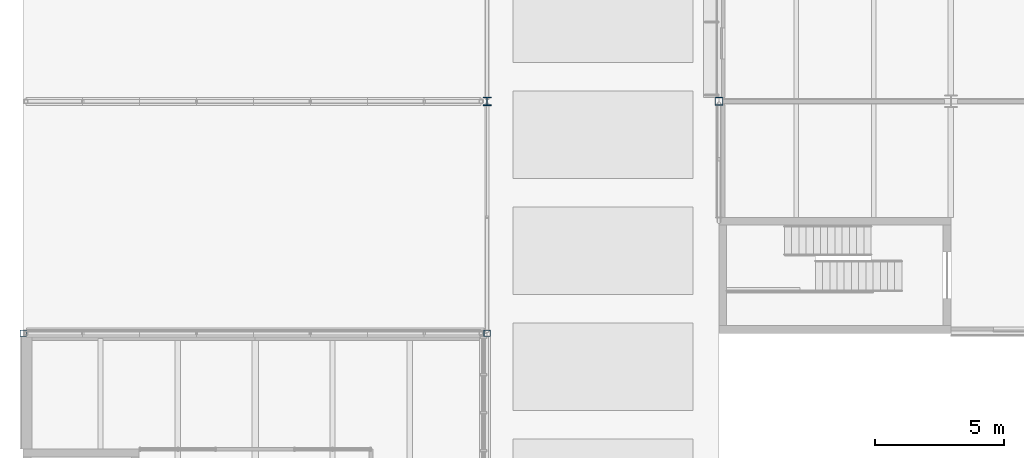
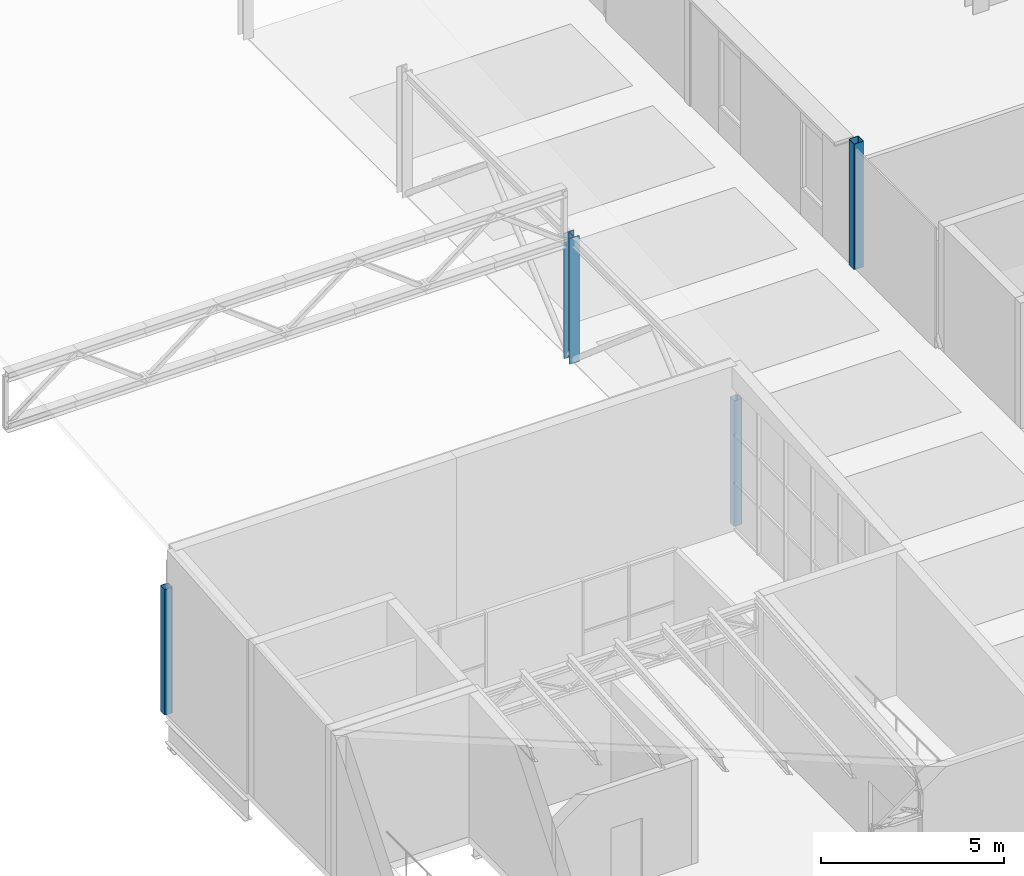
# One storey, part 1 of 61: 4 columns.
"""IFC4 building model written with IfcOpenShell, lengths in metres."""

from ifc_helpers import new_model, si_unit, direction, frame, origin, origin_2d, place, context, subcontext, project, spatial, hollow_rectangle, i_section, extrude, material, material_profile, profile_set, type_object, element, save


model = new_model("IFC4")

# Units and contexts
model_context = context("Model", 3, precision=1e-05, world=origin(), true_north=direction((0.0, 1.0)))
body_context = subcontext(model_context, "Body", "Model", "MODEL_VIEW")
ifc_project = project(units=[si_unit("LENGTHUNIT", "METRE"), si_unit("AREAUNIT", "SQUARE_METRE"), si_unit("VOLUMEUNIT", "CUBIC_METRE"), si_unit("PLANEANGLEUNIT", "RADIAN"), si_unit("MASSUNIT", "GRAM", prefix="KILO")], contexts=[model_context])

# Site, building, storey
site_placement = place(None, origin())
site = spatial("IfcSite", under=ifc_project, at=site_placement, CompositionType="ELEMENT")
building_placement = place(site_placement, origin())
building = spatial("IfcBuilding", under=site, at=building_placement, Name="Halyard Row Museum", CompositionType="ELEMENT")
storey_placement = place(building_placement, frame((0.0, 0.0, 9.199951171875)))
storey = spatial("IfcBuildingStorey", under=building, at=storey_placement, Name="L02", CompositionType="ELEMENT", Elevation=9.199951171875)

# Columns
ifc_material_1 = material(Name="Steel Grade C350L0", Category="steel")
ifc_material_profile_1 = material_profile(ifc_material_1, hollow_rectangle(XDim=0.25, YDim=0.25, WallThickness=0.010009765625, InnerFilletRadius=0.014892578125, OuterFilletRadius=0.02490234375, at=origin_2d()), Name="250x250x10.0SHS")
ifc_profile_set_1 = profile_set([ifc_material_profile_1], Name="Steel Grade C350L0")
column_type_1 = type_object("IfcColumnType", Name="Column 250x250x10.0SHS edge", PredefinedType="COLUMN", material=ifc_profile_set_1)
for number, where, z_axis, x_axis, name in (
    (1, (0.0, 18.0, 0.0), (0.0, 0.0, 1.0), (1.0, 0.0, 0.0), "Column 1C L02"),
    (2, (18.0, 18.0, 0.0), (0.0, 0.0, 1.0), (1.0, 0.0, 0.0), "Column 3C L02"),
):
    element("IfcColumn", number, at=place(storey_placement, frame(where, z_axis=z_axis, x_axis=x_axis)), inside=storey, type_object=column_type_1, Name=name, PredefinedType="COLUMN", context=body_context, shape_type="SweptSolid", body=[
        extrude(hollow_rectangle(XDim=0.25, YDim=0.25, WallThickness=0.010009765625, InnerFilletRadius=0.014892578125, OuterFilletRadius=0.02490234375, at=origin_2d()), origin(), (0.0, 0.0, 1.0), 4.199951171875),
    ])
ifc_material_2 = material(Name="Steel Grade C350L0", Category="steel")
ifc_material_profile_2 = material_profile(ifc_material_2, hollow_rectangle(XDim=0.300048828125, YDim=0.300048828125, WallThickness=0.010009765625, InnerFilletRadius=0.014892578125, OuterFilletRadius=0.02490234375, at=origin_2d()), Name="300x300x10.0SHS")
ifc_profile_set_2 = profile_set([ifc_material_profile_2], Name="Steel Grade C350L0")
column_type_2 = type_object("IfcColumnType", Name="Column 300x300x10.0SHS edge", PredefinedType="COLUMN", material=ifc_profile_set_2)
column_1_placement = place(storey_placement, frame((27.0, 27.0, 0.0), z_axis=(0.0, 0.0, 1.0), x_axis=(1.0, 0.0, 0.0)))
element("IfcColumn", 3, at=column_1_placement, inside=storey, type_object=column_type_2, Name="Column 4D L02", PredefinedType="COLUMN", context=body_context, shape_type="SweptSolid", body=[
    extrude(hollow_rectangle(XDim=0.300048828125, YDim=0.300048828125, WallThickness=0.010009765625, InnerFilletRadius=0.014892578125, OuterFilletRadius=0.02490234375, at=origin_2d()), origin(), (0.0, 0.0, 1.0), 4.199951171875),
])
ifc_material_3 = material(Name="Steel Grade 300", Category="steel")
ifc_material_profile_3 = material_profile(ifc_material_3, i_section(OverallWidth=0.31103515625, OverallDepth=0.3271484375, WebThickness=0.015625, FlangeThickness=0.02490234375, FilletRadius=0.0166015625, at=origin_2d()), Name="310UC158")
ifc_profile_set_3 = profile_set([ifc_material_profile_3], Name="Steel Grade 300")
column_type_3 = type_object("IfcColumnType", Name="Hall frame column 310UC158", PredefinedType="COLUMN", material=ifc_profile_set_3)
column_2_placement = place(storey_placement, frame((18.0, 27.0, 0.0), z_axis=(0.0, 0.0, 1.0), x_axis=(1.0, 0.0, 0.0)))
element("IfcColumn", 4, at=column_2_placement, inside=storey, type_object=column_type_3, Name="Hall frame column L02 y 27", PredefinedType="COLUMN", context=body_context, shape_type="SweptSolid", body=[
    extrude(i_section(OverallWidth=0.31103515625, OverallDepth=0.3271484375, WebThickness=0.015625, FlangeThickness=0.02490234375, FilletRadius=0.0166015625, at=origin_2d()), origin(), (0.0, 0.0, 1.0), 4.199951171875),
])

save(model, "model.ifc")
